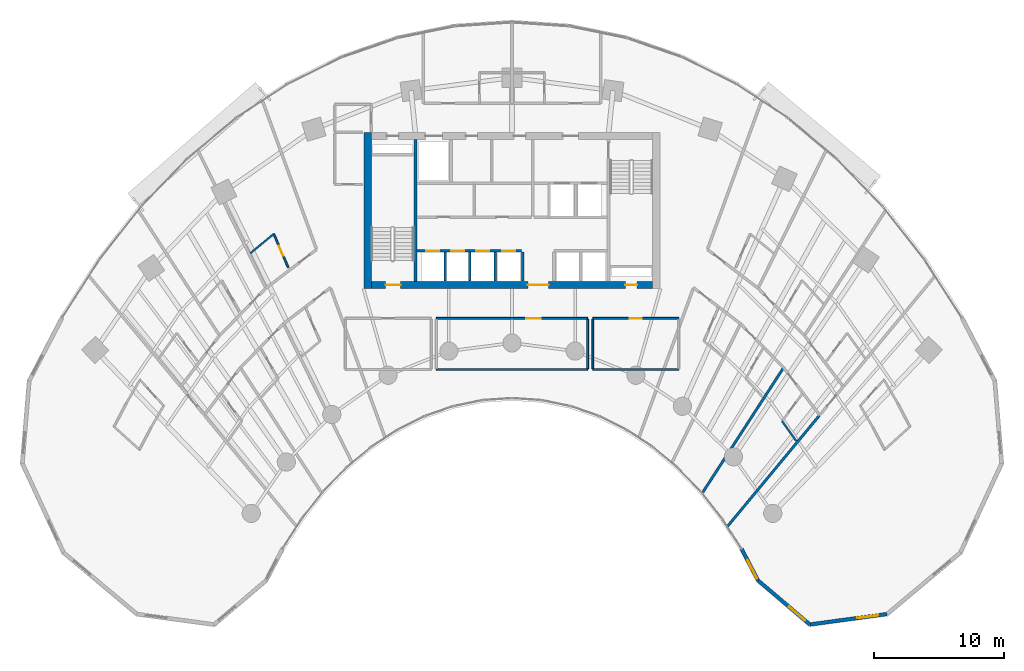
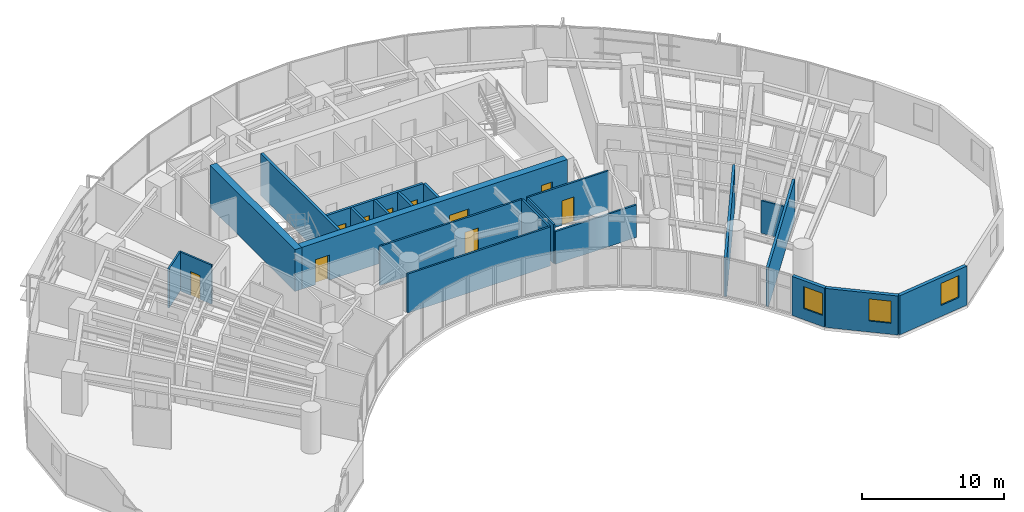
# One storey, part 12 of 18: 22 walls, 10 doors, 3 windows, 13 openings.
"""IFC4 building model written with IfcOpenShell, lengths in metres."""

from ifc_helpers import new_model, si_unit, direction, frame, frame_2d, origin, place, context, subcontext, project, spatial, rectangle, extrude, source, transform, mapped, material, layer, layer_set, type_object, type_shapes, element, fill, save


model = new_model("IFC4")

# Units and contexts
model_context = context("Model", 3, precision=1e-05, world=origin(), true_north=direction((0.0, 1.0)))
body_context = subcontext(model_context, "Body", "Model", "MODEL_VIEW")
ifc_project = project(units=[si_unit("LENGTHUNIT", "METRE"), si_unit("AREAUNIT", "SQUARE_METRE"), si_unit("VOLUMEUNIT", "CUBIC_METRE"), si_unit("PLANEANGLEUNIT", "RADIAN"), si_unit("MASSUNIT", "GRAM", prefix="KILO")], contexts=[model_context])

# Site, building, storey
site_placement = place(None, origin())
site = spatial("IfcSite", under=ifc_project, at=site_placement, CompositionType="ELEMENT")
building_placement = place(site_placement, origin())
building = spatial("IfcBuilding", under=site, at=building_placement, Name="Breltana Convention Tower", CompositionType="ELEMENT")
storey_placement = place(building_placement, frame((0.0, 0.0, 42.60009765625)))
storey = spatial("IfcBuildingStorey", under=building, at=storey_placement, Name="L08", CompositionType="ELEMENT", Elevation=42.60009765625)

# Wall
ifc_material_1 = material(Name="Concrete C60/75", Category="concrete")
ifc_layer_1 = layer(ifc_material_1, 0.550048828125, Name="Concrete C60/75")
ifc_layer_set_1 = layer_set([ifc_layer_1], Name="Concrete C60/75")
wall_type_1 = type_object("IfcWallType", Name="SW-CORE-550", PredefinedType="SHEAR", material=ifc_layer_set_1)
shared_shape_1 = source(origin(), body_context, "Body", "SweptSolid", [
    extrude(rectangle(XDim=12.0, YDim=0.550048828125, at=frame_2d((6.0, 0.0))), origin(), (0.0, 0.0, 1.0), 3.599853515625),
])
wall_1_placement = place(storey_placement, frame((36.925048828125, 60.199951171875, 0.0), z_axis=(0.0, 0.0, 1.0), x_axis=(0.0, 1.0, 0.0)))
element("IfcWall", 1, at=wall_1_placement, inside=storey, type_object=wall_type_1, Name="L08 West Core Shear Wall", PredefinedType="SHEAR", context=body_context, shape_type="MappedRepresentation", body=[
    mapped(shared_shape_1, transform((0.0, 0.0, 0.0), scale=1.0)),
])

# Wall, openings, doors
shared_shape_2 = source(origin(), body_context, "Body", "SweptSolid", [
    extrude(rectangle(XDim=21.60009765625, YDim=0.550048828125, at=frame_2d((10.800048828125, 0.0))), origin(), (0.0, 0.0, 1.0), 3.599853515625),
])
wall_2_placement = place(storey_placement, frame((37.199951171875, 60.47509765625, 0.0), z_axis=(0.0, 0.0, 1.0), x_axis=(1.0, 0.0, 0.0)))
wall_2 = element("IfcWall", 2, at=wall_2_placement, inside=storey, type_object=wall_type_1, Name="L08 South Core Shear Wall", PredefinedType="SHEAR", context=body_context, shape_type="MappedRepresentation", body=[
    mapped(shared_shape_2, transform((0.0, 0.0, 0.0), scale=1.0)),
])
opening_1_placement = place(wall_2_placement, frame((1.10009765625, 0.0, 0.0)))
opening_1 = element("IfcOpeningElement", 3, at=opening_1_placement, cuts=wall_2, Name="Opening D-11", PredefinedType="OPENING", context=body_context, shape_type="SweptSolid", body=[
    extrude(rectangle(XDim=1.14990234375, YDim=2.14990234375, at=frame_2d((0.574951171875, 1.074951171875))), frame((0.0, 0.28515625, 0.0), z_axis=(0.0, -1.0, 0.0), x_axis=(1.0, 0.0, 0.0)), (0.0, 0.0, 1.0), 0.570068359375),
])
opening_2_placement = place(wall_2_placement, frame((19.5, 0.0, 0.0)))
opening_2 = element("IfcOpeningElement", 4, at=opening_2_placement, cuts=wall_2, Name="Opening D-18", PredefinedType="OPENING", context=body_context, shape_type="SweptSolid", body=[
    extrude(rectangle(XDim=0.89990234375, YDim=2.10009765625, at=frame_2d((0.449951171875, 1.050048828125))), frame((0.0, 0.28515625, 0.0), z_axis=(0.0, -1.0, 0.0), x_axis=(1.0, 0.0, 0.0)), (0.0, 0.0, 1.0), 0.570068359375),
])
opening_3_placement = place(wall_2_placement, frame((12.02001953125, 0.0, 0.0)))
opening_3 = element("IfcOpeningElement", 5, at=opening_3_placement, cuts=wall_2, Name="Opening D-02", PredefinedType="OPENING", context=body_context, shape_type="SweptSolid", body=[
    extrude(rectangle(XDim=1.60009765625, YDim=2.14990234375, at=frame_2d((0.800048828125, 1.074951171875))), frame((0.0, 0.28515625, 0.0), z_axis=(0.0, -1.0, 0.0), x_axis=(1.0, 0.0, 0.0)), (0.0, 0.0, 1.0), 0.570068359375),
])
ifc_material_2 = material(Name="Steel Stair Exit Door", Category="steel")
door_type_1 = type_object("IfcDoorType", Name="DR-FD120-1150", OperationType="NOTDEFINED", PredefinedType="DOOR", material=ifc_material_2)
shared_shape_3 = source(origin(), body_context, "Body", "SweptSolid", [
    extrude(rectangle(XDim=1.14990234375, YDim=2.14990234375, at=frame_2d((0.574951171875, 1.074951171875))), frame((0.0, 0.02490234375, 0.0), z_axis=(0.0, -1.0, 0.0), x_axis=(1.0, 0.0, 0.0)), (0.0, 0.0, 1.0), 0.050048828125),
])
type_shapes(door_type_1, [shared_shape_3])
door_1_placement = place(opening_1_placement, origin())
door_1 = element("IfcDoor", 6, at=door_1_placement, inside=storey, type_object=door_type_1, Name="L08 interior door D-L08-ST1", OperationType="SINGLE_SWING_LEFT", OverallHeight=2.14990234375, OverallWidth=1.14990234375, PredefinedType="DOOR", context=body_context, shape_type="MappedRepresentation", body=[
    mapped(shared_shape_3, transform((0.0, 0.0, 0.0), scale=1.0)),
])
fill(opening_1, door_1)
ifc_material_3 = material(Name="Steel Riser Fire Door", Category="steel")
door_type_2 = type_object("IfcDoorType", Name="DR-FD60-900", OperationType="NOTDEFINED", PredefinedType="DOOR", material=ifc_material_3)
shared_shape_4 = source(origin(), body_context, "Body", "SweptSolid", [
    extrude(rectangle(XDim=0.89990234375, YDim=2.10009765625, at=frame_2d((0.449951171875, 1.050048828125))), frame((0.0, 0.02490234375, 0.0), z_axis=(0.0, -1.0, 0.0), x_axis=(1.0, 0.0, 0.0)), (0.0, 0.0, 1.0), 0.050048828125),
])
type_shapes(door_type_2, [shared_shape_4])
door_2_placement = place(opening_2_placement, origin())
door_2 = element("IfcDoor", 7, at=door_2_placement, inside=storey, type_object=door_type_2, Name="L08 Core Riser Access Door D-L08-RS2", OperationType="SINGLE_SWING_RIGHT", OverallHeight=2.10009765625, OverallWidth=0.89990234375, PredefinedType="DOOR", context=body_context, shape_type="MappedRepresentation", body=[
    mapped(shared_shape_4, transform((0.0, 0.0, 0.0), scale=1.0)),
])
fill(opening_2, door_2)
ifc_material_4 = material(Name="Steel Glazed Smoke-Control Door", Category="steel")
door_type_3 = type_object("IfcDoorType", Name="DR-DBL-FD90-1600", OperationType="DOUBLE_DOOR_SINGLE_SWING", PredefinedType="DOOR", material=ifc_material_4)
shared_shape_5 = source(origin(), body_context, "Body", "SweptSolid", [
    extrude(rectangle(XDim=1.60009765625, YDim=2.14990234375, at=frame_2d((0.800048828125, 1.074951171875))), frame((0.0, 0.02490234375, 0.0), z_axis=(0.0, -1.0, 0.0), x_axis=(1.0, 0.0, 0.0)), (0.0, 0.0, 1.0), 0.050048828125),
])
type_shapes(door_type_3, [shared_shape_5])
door_3_placement = place(opening_3_placement, origin())
door_3 = element("IfcDoor", 8, at=door_3_placement, inside=storey, type_object=door_type_3, Name="L08 interior door D-L08-LLB-S", OperationType="DOUBLE_DOOR_SINGLE_SWING", OverallHeight=2.14990234375, OverallWidth=1.60009765625, PredefinedType="DOOR", context=body_context, shape_type="MappedRepresentation", body=[
    mapped(shared_shape_5, transform((0.0, 0.0, 0.0), scale=1.0)),
])
fill(opening_3, door_3)

# Wall
ifc_material_5 = material(Name="Concrete C50/60", Category="concrete")
ifc_layer_2 = layer(ifc_material_5, 0.39990234375, Name="Concrete C50/60")
ifc_layer_set_2 = layer_set([ifc_layer_2], Name="Concrete C50/60")
wall_type_2 = type_object("IfcWallType", Name="SW-CORE-400", PredefinedType="SHEAR", material=ifc_layer_set_2)
shared_shape_6 = source(origin(), body_context, "Body", "SweptSolid", [
    extrude(rectangle(XDim=10.89990234375, YDim=0.219970703125, at=frame_2d((5.449951171875, 0.0))), origin(), (0.0, 0.0, 1.0), 3.599853515625),
])
wall_3_placement = place(storey_placement, frame((40.580078125, 60.75, 0.0), z_axis=(0.0, 0.0, 1.0), x_axis=(0.0, 1.0, 0.0)))
element("IfcWall", 9, at=wall_3_placement, inside=storey, type_object=wall_type_2, Name="L08 Core West Stair Spine Wall", PredefinedType="SHEAR", context=body_context, shape_type="MappedRepresentation", body=[
    mapped(shared_shape_6, transform((0.0, 0.0, 0.0), scale=1.0)),
])

# Wall, opening, window
ifc_material_6 = material(Name="Limestone Buff Insulated Wall", Category="masonry")
ifc_layer_3 = layer(ifc_material_6, 0.280029296875, Name="Limestone Buff Insulated Wall")
ifc_layer_set_3 = layer_set([ifc_layer_3], Name="Limestone Buff Insulated Wall")
wall_type_3 = type_object("IfcWallType", Name="WL-EXT-NOSE-280", PredefinedType="SOLIDWALL", material=ifc_layer_set_3)
shared_shape_7 = source(origin(), body_context, "Body", "SweptSolid", [
    extrude(rectangle(XDim=5.96728515625, YDim=0.280029296875, at=frame_2d((2.983642578125, 0.0))), origin(), (0.0, 0.0, 1.0), 3.35986328125),
])
wall_4_placement = place(storey_placement, frame((76.77734375, 35.226806640625, 0.0), z_axis=(0.0, 0.0, 1.0), x_axis=(-0.990927009341, -0.134401124099, 0.0)))
wall_4 = element("IfcWall", 10, at=wall_4_placement, inside=storey, type_object=wall_type_3, Name="L08 curved limestone nose wall E4", PredefinedType="SOLIDWALL", context=body_context, shape_type="MappedRepresentation", body=[
    mapped(shared_shape_7, transform((0.0, 0.0, 0.0), scale=1.0)),
])
opening_4_placement = place(wall_4_placement, frame((0.69189453125, 0.0, 0.949951171875)))
opening_4 = element("IfcOpeningElement", 11, at=opening_4_placement, cuts=wall_4, Name="Opening W-04", PredefinedType="OPENING", context=body_context, shape_type="SweptSolid", body=[
    extrude(rectangle(XDim=1.60009765625, YDim=1.89990234375, at=frame_2d((0.800048828125, 0.949951171875))), frame((0.0, 0.14990234375, 0.0), z_axis=(0.0, -1.0, 0.0), x_axis=(1.0, 0.0, 0.0)), (0.0, 0.0, 1.0), 0.300048828125),
])
ifc_material_7 = material(Name="Glass Low-E Insulated Window", Category="glass")
window_type = type_object("IfcWindowType", Name="WN-NOSE-1600X1900", PartitioningType="SINGLE_PANEL", PredefinedType="WINDOW", material=ifc_material_7)
shared_shape_8 = source(origin(), body_context, "Body", "SweptSolid", [
    extrude(rectangle(XDim=1.60009765625, YDim=1.89990234375, at=frame_2d((0.800048828125, 0.949951171875))), frame((0.0, 0.030029296875, 0.0), z_axis=(0.0, -1.0, 0.0), x_axis=(1.0, 0.0, 0.0)), (0.0, 0.0, 1.0), 0.06005859375),
])
type_shapes(window_type, [shared_shape_8])
window_1_placement = place(opening_4_placement, origin())
window_1 = element("IfcWindow", 12, at=window_1_placement, inside=storey, type_object=window_type, Name="L08 nose window E4", OverallHeight=1.89990234375, OverallWidth=1.60009765625, PartitioningType="SINGLE_PANEL", PredefinedType="WINDOW", context=body_context, shape_type="MappedRepresentation", body=[
    mapped(shared_shape_8, transform((0.0, 0.0, 0.0), scale=1.0)),
])
fill(opening_4, window_1)

shared_shape_9 = source(origin(), body_context, "Body", "SweptSolid", [
    extrude(rectangle(XDim=5.222412109375, YDim=0.280029296875, at=frame_2d((2.611328125, 0.0))), origin(), (0.0, 0.0, 1.0), 3.35986328125),
])
wall_5_placement = place(storey_placement, frame((70.8642578125, 34.4248046875, 0.0), z_axis=(0.0, 0.0, 1.0), x_axis=(-0.761900099546, 0.647694556339, 0.0)))
wall_5 = element("IfcWall", 13, at=wall_5_placement, inside=storey, type_object=wall_type_3, Name="L08 curved limestone nose wall E5", PredefinedType="SOLIDWALL", context=body_context, shape_type="MappedRepresentation", body=[
    mapped(shared_shape_9, transform((0.0, 0.0, 0.0), scale=1.0)),
])
opening_5_placement = place(wall_5_placement, frame((0.505615234375, 0.0, 0.949951171875)))
opening_5 = element("IfcOpeningElement", 14, at=opening_5_placement, cuts=wall_5, Name="Opening W-04", PredefinedType="OPENING", context=body_context, shape_type="SweptSolid", body=[
    extrude(rectangle(XDim=1.60009765625, YDim=1.89990234375, at=frame_2d((0.800048828125, 0.949951171875))), frame((0.0, 0.14990234375, 0.0), z_axis=(0.0, -1.0, 0.0), x_axis=(1.0, 0.0, 0.0)), (0.0, 0.0, 1.0), 0.300048828125),
])
window_2_placement = place(opening_5_placement, origin())
window_2 = element("IfcWindow", 15, at=window_2_placement, inside=storey, type_object=window_type, Name="L08 nose window E5", OverallHeight=1.89990234375, OverallWidth=1.60009765625, PartitioningType="SINGLE_PANEL", PredefinedType="WINDOW", context=body_context, shape_type="MappedRepresentation", body=[
    mapped(shared_shape_8, transform((0.0, 0.0, 0.0), scale=1.0)),
])
fill(opening_5, window_2)

shared_shape_10 = source(origin(), body_context, "Body", "SweptSolid", [
    extrude(rectangle(XDim=2.7353515625, YDim=0.280029296875, at=frame_2d((1.36767578125, 0.0))), origin(), (0.0, 0.0, 1.0), 3.35986328125),
])
wall_6_placement = place(storey_placement, frame((66.88525390625, 37.807373046875, 0.0), z_axis=(0.0, 0.0, 1.0), x_axis=(-0.46179107292, 0.886988728774, 0.0)))
wall_6 = element("IfcWall", 16, at=wall_6_placement, inside=storey, type_object=wall_type_3, Name="L08 curved limestone nose wall E6", PredefinedType="SOLIDWALL", context=body_context, shape_type="MappedRepresentation", body=[
    mapped(shared_shape_10, transform((0.0, 0.0, 0.0), scale=1.0)),
])
opening_6_placement = place(wall_6_placement, frame((0.159912109375, 0.0, 0.949951171875)))
opening_6 = element("IfcOpeningElement", 17, at=opening_6_placement, cuts=wall_6, Name="Opening W-04", PredefinedType="OPENING", context=body_context, shape_type="SweptSolid", body=[
    extrude(rectangle(XDim=1.60009765625, YDim=1.89990234375, at=frame_2d((0.800048828125, 0.949951171875))), frame((0.0, 0.14990234375, 0.0), z_axis=(0.0, -1.0, 0.0), x_axis=(1.0, 0.0, 0.0)), (0.0, 0.0, 1.0), 0.300048828125),
])
window_3_placement = place(opening_6_placement, origin())
window_3 = element("IfcWindow", 18, at=window_3_placement, inside=storey, type_object=window_type, Name="L08 nose window E6", OverallHeight=1.89990234375, OverallWidth=1.60009765625, PartitioningType="SINGLE_PANEL", PredefinedType="WINDOW", context=body_context, shape_type="MappedRepresentation", body=[
    mapped(shared_shape_8, transform((0.0, 0.0, 0.0), scale=1.0)),
])
fill(opening_6, window_3)

# Walls
ifc_material_8 = material(Name="Gypsum Acoustic Drywall Partition")
ifc_layer_4 = layer(ifc_material_8, 0.14990234375, Name="Gypsum Acoustic Drywall Partition")
ifc_layer_set_4 = layer_set([ifc_layer_4], Name="Gypsum Acoustic Drywall Partition")
wall_type_4 = type_object("IfcWallType", Name="WL-PART-150", PredefinedType="PARTITIONING", material=ifc_layer_set_4)
shared_shape_11 = source(origin(), body_context, "Body", "SweptSolid", [
    extrude(rectangle(XDim=6.60009765625, YDim=0.14990234375, at=frame_2d((3.300048828125, 0.0))), origin(), (0.0, 0.0, 1.0), 2.802978515625),
])
wall_7_placement = place(storey_placement, frame((54.199951171875, 54.0, 0.0), z_axis=(0.0, 0.0, 1.0), x_axis=(1.0, 0.0, 0.0)))
element("IfcWall", 19, at=wall_7_placement, inside=storey, type_object=wall_type_4, Name="L08 interior partition W-L08-HMT-S", PredefinedType="PARTITIONING", context=body_context, shape_type="MappedRepresentation", body=[
    mapped(shared_shape_11, transform((0.0, 0.0, 0.0), scale=1.0)),
])
ifc_material_9 = material(Name="Moisture-Resistant En-Suite Partition")
ifc_layer_5 = layer(ifc_material_9, 0.139892578125, Name="Moisture-Resistant En-Suite Partition")
ifc_layer_set_5 = layer_set([ifc_layer_5], Name="Moisture-Resistant En-Suite Partition")
wall_type_5 = type_object("IfcWallType", Name="WL-WET-150", PredefinedType="PARTITIONING", material=ifc_layer_set_5)
shared_shape_12 = source(origin(), body_context, "Body", "SweptSolid", [
    extrude(rectangle(XDim=1.883544921875, YDim=0.139892578125, at=frame_2d((0.94189453125, 0.0))), origin(), (0.0, 0.0, 1.0), 2.802978515625),
])
wall_8_placement = place(storey_placement, frame((68.7294921875, 50.031005859375, 0.0), z_axis=(0.0, 0.0, 1.0), x_axis=(0.580833492897, -0.814022391295, 0.0)))
element("IfcWall", 20, at=wall_8_placement, inside=storey, type_object=wall_type_5, Name="L08 interior partition W-L08-HK12E-BK", PredefinedType="PARTITIONING", context=body_context, shape_type="MappedRepresentation", body=[
    mapped(shared_shape_12, transform((0.0, 0.0, 0.0), scale=1.0)),
])
ifc_material_10 = material(Name="Autoclaved Aerated Concrete Block", Category="concrete")
ifc_layer_6 = layer(ifc_material_10, 0.199951171875, Name="Autoclaved Aerated Concrete Block")
ifc_layer_set_6 = layer_set([ifc_layer_6], Name="Autoclaved Aerated Concrete Block")
wall_type_6 = type_object("IfcWallType", Name="WL-SHAFT-200", PredefinedType="SOLIDWALL", material=ifc_layer_set_6)
shared_shape_13 = source(origin(), body_context, "Body", "SweptSolid", [
    extrude(rectangle(XDim=2.239990234375, YDim=0.199951171875, at=frame_2d((1.1201171875, 0.0))), origin(), (0.0, 0.0, 1.0), 3.35986328125),
])
wall_9_placement = place(storey_placement, frame((48.820068359375, 60.780029296875, 0.0), z_axis=(0.0, 0.0, 1.0), x_axis=(0.0, 1.0, 0.0)))
element("IfcWall", 21, at=wall_9_placement, inside=storey, type_object=wall_type_6, Name="L08 interior partition W-L08-PORT-W", PredefinedType="SOLIDWALL", context=body_context, shape_type="MappedRepresentation", body=[
    mapped(shared_shape_13, transform((0.0, 0.0, 0.0), scale=1.0)),
])

# Wall, openings, doors
shared_shape_14 = source(origin(), body_context, "Body", "SweptSolid", [
    extrude(rectangle(XDim=8.02001953125, YDim=0.199951171875, at=frame_2d((4.010009765625, 0.0))), origin(), (0.0, 0.0, 1.0), 3.35986328125),
])
wall_10_placement = place(storey_placement, frame((40.699951171875, 63.10009765625, 0.0), z_axis=(0.0, 0.0, 1.0), x_axis=(1.0, 0.0, 0.0)))
wall_10 = element("IfcWall", 22, at=wall_10_placement, inside=storey, type_object=wall_type_6, Name="L08 interior partition W-L08-SH-S-FRONT", PredefinedType="SOLIDWALL", context=body_context, shape_type="MappedRepresentation", body=[
    mapped(shared_shape_14, transform((0.0, 0.0, 0.0), scale=1.0)),
])
opening_7_placement = place(wall_10_placement, frame((0.719970703125, 0.0, 0.0)))
opening_7 = element("IfcOpeningElement", 23, at=opening_7_placement, cuts=wall_10, Name="Opening LD-04", PredefinedType="OPENING", context=body_context, shape_type="SweptSolid", body=[
    extrude(rectangle(XDim=1.0, YDim=2.14990234375, at=frame_2d((0.5, 1.074951171875))), frame((0.0, 0.10986328125, 0.0), z_axis=(0.0, -1.0, 0.0), x_axis=(1.0, 0.0, 0.0)), (0.0, 0.0, 1.0), 0.219970703125),
])
opening_8_placement = place(wall_10_placement, frame((2.6201171875, 0.0, 0.0)))
opening_8 = element("IfcOpeningElement", 24, at=opening_8_placement, cuts=wall_10, Name="Opening LD-04", PredefinedType="OPENING", context=body_context, shape_type="SweptSolid", body=[
    extrude(rectangle(XDim=1.0, YDim=2.14990234375, at=frame_2d((0.5, 1.074951171875))), frame((0.0, 0.10986328125, 0.0), z_axis=(0.0, -1.0, 0.0), x_axis=(1.0, 0.0, 0.0)), (0.0, 0.0, 1.0), 0.219970703125),
])
opening_9_placement = place(wall_10_placement, frame((4.550048828125, 0.0, 0.0)))
opening_9 = element("IfcOpeningElement", 25, at=opening_9_placement, cuts=wall_10, Name="Opening LD-04", PredefinedType="OPENING", context=body_context, shape_type="SweptSolid", body=[
    extrude(rectangle(XDim=1.0, YDim=2.14990234375, at=frame_2d((0.5, 1.074951171875))), frame((0.0, 0.10986328125, 0.0), z_axis=(0.0, -1.0, 0.0), x_axis=(1.0, 0.0, 0.0)), (0.0, 0.0, 1.0), 0.219970703125),
])
opening_10_placement = place(wall_10_placement, frame((6.550048828125, 0.0, 0.0)))
opening_10 = element("IfcOpeningElement", 26, at=opening_10_placement, cuts=wall_10, Name="Opening LD-04", PredefinedType="OPENING", context=body_context, shape_type="SweptSolid", body=[
    extrude(rectangle(XDim=1.0, YDim=2.14990234375, at=frame_2d((0.5, 1.074951171875))), frame((0.0, 0.10986328125, 0.0), z_axis=(0.0, -1.0, 0.0), x_axis=(1.0, 0.0, 0.0)), (0.0, 0.0, 1.0), 0.219970703125),
])
ifc_material_11 = material(Name="Stainless Steel Brushed", Category="steel")
door_type_4 = type_object("IfcDoorType", Name="DR-LD-PAX-1000", OperationType="DOUBLE_DOOR_SLIDING", PredefinedType="DOOR", material=ifc_material_11)
shared_shape_15 = source(origin(), body_context, "Body", "SweptSolid", [
    extrude(rectangle(XDim=1.0, YDim=2.14990234375, at=frame_2d((0.5, 1.074951171875))), frame((0.0, 0.02490234375, 0.0), z_axis=(0.0, -1.0, 0.0), x_axis=(1.0, 0.0, 0.0)), (0.0, 0.0, 1.0), 0.050048828125),
])
type_shapes(door_type_4, [shared_shape_15])
door_4_placement = place(opening_7_placement, origin())
door_4 = element("IfcDoor", 27, at=door_4_placement, inside=storey, type_object=door_type_4, Name="L08 Lift Landing Door D-L08-LD-S1", OperationType="DOUBLE_DOOR_SLIDING", OverallHeight=2.14990234375, OverallWidth=1.0, PredefinedType="DOOR", context=body_context, shape_type="MappedRepresentation", body=[
    mapped(shared_shape_15, transform((0.0, 0.0, 0.0), scale=1.0)),
])
fill(opening_7, door_4)
door_5_placement = place(opening_8_placement, origin())
door_5 = element("IfcDoor", 28, at=door_5_placement, inside=storey, type_object=door_type_4, Name="L08 Lift Landing Door D-L08-LD-S2", OperationType="DOUBLE_DOOR_SLIDING", OverallHeight=2.14990234375, OverallWidth=1.0, PredefinedType="DOOR", context=body_context, shape_type="MappedRepresentation", body=[
    mapped(shared_shape_15, transform((0.0, 0.0, 0.0), scale=1.0)),
])
fill(opening_8, door_5)
door_6_placement = place(opening_9_placement, origin())
door_6 = element("IfcDoor", 29, at=door_6_placement, inside=storey, type_object=door_type_4, Name="L08 Lift Landing Door D-L08-LD-S3", OperationType="DOUBLE_DOOR_SLIDING", OverallHeight=2.14990234375, OverallWidth=1.0, PredefinedType="DOOR", context=body_context, shape_type="MappedRepresentation", body=[
    mapped(shared_shape_15, transform((0.0, 0.0, 0.0), scale=1.0)),
])
fill(opening_9, door_6)
door_7_placement = place(opening_10_placement, origin())
door_7 = element("IfcDoor", 30, at=door_7_placement, inside=storey, type_object=door_type_4, Name="L08 Lift Landing Door D-L08-LD-S4", OperationType="DOUBLE_DOOR_SLIDING", OverallHeight=2.14990234375, OverallWidth=1.0, PredefinedType="DOOR", context=body_context, shape_type="MappedRepresentation", body=[
    mapped(shared_shape_15, transform((0.0, 0.0, 0.0), scale=1.0)),
])
fill(opening_10, door_7)

# Walls
shared_shape_16 = source(origin(), body_context, "Body", "SweptSolid", [
    extrude(rectangle(XDim=2.199951171875, YDim=0.199951171875, at=frame_2d((1.10009765625, 0.0))), origin(), (0.0, 0.0, 1.0), 3.35986328125),
])
for number, where, z_axis, x_axis, name in (
    (31, (42.8701171875, 60.800048828125, 0.0), (0.0, 0.0, 1.0), (0.0, 1.0, 0.0), "L08 interior partition W-L08-SH-S-DIV1"),
    (32, (44.77001953125, 60.800048828125, 0.0), (0.0, 0.0, 1.0), (0.0, 1.0, 0.0), "L08 interior partition W-L08-SH-S-DIV2"),
    (33, (46.699951171875, 60.800048828125, 0.0), (0.0, 0.0, 1.0), (0.0, 1.0, 0.0), "L08 interior partition W-L08-SH-S-DIV3"),
):
    element("IfcWall", number, at=place(storey_placement, frame(where, z_axis=z_axis, x_axis=x_axis)), inside=storey, type_object=wall_type_6, Name=name, PredefinedType="SOLIDWALL", context=body_context, shape_type="MappedRepresentation", body=[
        mapped(shared_shape_16, transform((0.0, 0.0, 0.0), scale=1.0)),
    ])

# Wall, opening, door
shared_shape_17 = source(origin(), body_context, "Body", "SweptSolid", [
    extrude(rectangle(XDim=6.60009765625, YDim=0.14990234375, at=frame_2d((3.300048828125, 0.0))), origin(), (0.0, 0.0, 1.0), 3.35986328125),
])
wall_11_placement = place(storey_placement, frame((54.199951171875, 57.919921875, 0.0), z_axis=(0.0, 0.0, 1.0), x_axis=(1.0, 0.0, 0.0)))
wall_11 = element("IfcWall", 34, at=wall_11_placement, inside=storey, type_object=wall_type_4, Name="L08 interior partition W-L08-HMT-N", PredefinedType="PARTITIONING", context=body_context, shape_type="MappedRepresentation", body=[
    mapped(shared_shape_17, transform((0.0, 0.0, 0.0), scale=1.0)),
])
opening_11_placement = place(wall_11_placement, frame((2.824951171875, 0.0, 0.0)))
opening_11 = element("IfcOpeningElement", 35, at=opening_11_placement, cuts=wall_11, Name="Opening D-17", PredefinedType="OPENING", context=body_context, shape_type="SweptSolid", body=[
    extrude(rectangle(XDim=0.949951171875, YDim=2.10009765625, at=frame_2d((0.47509765625, 1.050048828125))), frame((0.0, 0.0849609375, 0.0), z_axis=(0.0, -1.0, 0.0), x_axis=(1.0, 0.0, 0.0)), (0.0, 0.0, 1.0), 0.169921875),
])
ifc_material_12 = material(Name="Timber Oak Veneer Door", Category="wood")
door_type_5 = type_object("IfcDoorType", Name="DR-INT-950", OperationType="NOTDEFINED", PredefinedType="DOOR", material=ifc_material_12)
shared_shape_18 = source(origin(), body_context, "Body", "SweptSolid", [
    extrude(rectangle(XDim=0.949951171875, YDim=2.10009765625, at=frame_2d((0.47509765625, 1.050048828125))), frame((0.0, 0.02490234375, 0.0), z_axis=(0.0, -1.0, 0.0), x_axis=(1.0, 0.0, 0.0)), (0.0, 0.0, 1.0), 0.050048828125),
])
type_shapes(door_type_5, [shared_shape_18])
door_8_placement = place(opening_11_placement, origin())
door_8 = element("IfcDoor", 36, at=door_8_placement, inside=storey, type_object=door_type_5, Name="L08 interior door D-L08-HMT", OperationType="SINGLE_SWING_RIGHT", OverallHeight=2.10009765625, OverallWidth=0.949951171875, PredefinedType="DOOR", context=body_context, shape_type="MappedRepresentation", body=[
    mapped(shared_shape_18, transform((0.0, 0.0, 0.0), scale=1.0)),
])
fill(opening_11, door_8)

# Walls
shared_shape_19 = source(origin(), body_context, "Body", "SweptSolid", [
    extrude(rectangle(XDim=3.78515625, YDim=0.14990234375, at=frame_2d((1.892578125, 0.0))), origin(), (0.0, 0.0, 1.0), 3.35986328125),
])
for number, where, z_axis, x_axis, name in (
    (37, (53.800048828125, 54.0673828125, 0.0), (0.0, 0.0, 1.0), (0.0, 1.0, 0.0), "L08 interior partition W-L08-HLG-E"),
    (38, (54.199951171875, 54.0673828125, 0.0), (0.0, 0.0, 1.0), (0.0, 1.0, 0.0), "L08 interior partition W-L08-HMT-W"),
):
    element("IfcWall", number, at=place(storey_placement, frame(where, z_axis=z_axis, x_axis=x_axis)), inside=storey, type_object=wall_type_4, Name=name, PredefinedType="PARTITIONING", context=body_context, shape_type="MappedRepresentation", body=[
        mapped(shared_shape_19, transform((0.0, 0.0, 0.0), scale=1.0)),
    ])
shared_shape_20 = source(origin(), body_context, "Body", "SweptSolid", [
    extrude(rectangle(XDim=11.60009765625, YDim=0.14990234375, at=frame_2d((5.800048828125, 0.0))), origin(), (0.0, 0.0, 1.0), 3.35986328125),
])
wall_12_placement = place(storey_placement, frame((42.199951171875, 54.0, 0.0), z_axis=(0.0, 0.0, 1.0), x_axis=(1.0, 0.0, 0.0)))
element("IfcWall", 39, at=wall_12_placement, inside=storey, type_object=wall_type_4, Name="L08 interior partition W-L08-HLG-S", PredefinedType="PARTITIONING", context=body_context, shape_type="MappedRepresentation", body=[
    mapped(shared_shape_20, transform((0.0, 0.0, 0.0), scale=1.0)),
])

# Wall, opening, door
wall_13_placement = place(storey_placement, frame((42.199951171875, 57.919921875, 0.0), z_axis=(0.0, 0.0, 1.0), x_axis=(1.0, 0.0, 0.0)))
wall_13 = element("IfcWall", 40, at=wall_13_placement, inside=storey, type_object=wall_type_4, Name="L08 interior partition W-L08-HLG-N", PredefinedType="PARTITIONING", context=body_context, shape_type="MappedRepresentation", body=[
    mapped(shared_shape_20, transform((0.0, 0.0, 0.0), scale=1.0)),
])
opening_12_placement = place(wall_13_placement, frame((6.89990234375, 0.0, 0.0)))
opening_12 = element("IfcOpeningElement", 41, at=opening_12_placement, cuts=wall_13, Name="Opening D-12", PredefinedType="OPENING", context=body_context, shape_type="SweptSolid", body=[
    extrude(rectangle(XDim=1.10009765625, YDim=2.14990234375, at=frame_2d((0.550048828125, 1.074951171875))), frame((0.0, 0.0849609375, 0.0), z_axis=(0.0, -1.0, 0.0), x_axis=(1.0, 0.0, 0.0)), (0.0, 0.0, 1.0), 0.169921875),
])
ifc_material_13 = material(Name="Timber Oak Acoustic Door", Category="wood")
door_type_6 = type_object("IfcDoorType", Name="DR-INT-1100", OperationType="NOTDEFINED", PredefinedType="DOOR", material=ifc_material_13)
shared_shape_21 = source(origin(), body_context, "Body", "SweptSolid", [
    extrude(rectangle(XDim=1.10009765625, YDim=2.14990234375, at=frame_2d((0.550048828125, 1.074951171875))), frame((0.0, 0.02490234375, 0.0), z_axis=(0.0, -1.0, 0.0), x_axis=(1.0, 0.0, 0.0)), (0.0, 0.0, 1.0), 0.050048828125),
])
type_shapes(door_type_6, [shared_shape_21])
door_9_placement = place(opening_12_placement, origin())
door_9 = element("IfcDoor", 42, at=door_9_placement, inside=storey, type_object=door_type_6, Name="L08 interior door D-L08-HLG", OperationType="SINGLE_SWING_LEFT", OverallHeight=2.14990234375, OverallWidth=1.10009765625, PredefinedType="DOOR", context=body_context, shape_type="MappedRepresentation", body=[
    mapped(shared_shape_21, transform((0.0, 0.0, 0.0), scale=1.0)),
])
fill(opening_12, door_9)

# Walls
ifc_material_14 = material(Name="Gypsum Acoustic Hotel Wall")
ifc_layer_7 = layer(ifc_material_14, 0.195068359375, Name="Gypsum Acoustic Hotel Wall")
ifc_layer_set_7 = layer_set([ifc_layer_7], Name="Gypsum Acoustic Hotel Wall")
wall_type_7 = type_object("IfcWallType", Name="WL-HOTEL-200", PredefinedType="PARTITIONING", material=ifc_layer_set_7)
shared_shape_22 = source(origin(), body_context, "Body", "SweptSolid", [
    extrude(rectangle(XDim=11.4287109375, YDim=0.195068359375, at=frame_2d((5.71435546875, 0.0))), origin(), (0.0, 0.0, 1.0), 3.35986328125),
])
wall_14_placement = place(storey_placement, frame((62.603515625, 44.510986328125, 0.0), z_axis=(0.0, 0.0, 1.0), x_axis=(0.544215487077, 0.838945471187, 0.0)))
element("IfcWall", 43, at=wall_14_placement, inside=storey, type_object=wall_type_7, Name="L08 interior partition W-L08-HK10-RB", PredefinedType="PARTITIONING", context=body_context, shape_type="MappedRepresentation", body=[
    mapped(shared_shape_22, transform((0.0, 0.0, 0.0), scale=1.0)),
])
shared_shape_23 = source(origin(), body_context, "Body", "SweptSolid", [
    extrude(rectangle(XDim=2.324462890625, YDim=0.139892578125, at=frame_2d((1.162109375, 0.0))), origin(), (0.0, 0.0, 1.0), 3.35986328125),
])
wall_15_placement = place(storey_placement, frame((27.922607421875, 62.92578125, 0.0), z_axis=(0.0, 0.0, 1.0), x_axis=(0.770746444956, 0.637141991701, 0.0)))
element("IfcWall", 44, at=wall_15_placement, inside=storey, type_object=wall_type_5, Name="L08 interior partition W-L08-HK05E-BK", PredefinedType="PARTITIONING", context=body_context, shape_type="MappedRepresentation", body=[
    mapped(shared_shape_23, transform((0.0, 0.0, 0.0), scale=1.0)),
])

# Wall, opening, door
shared_shape_24 = source(origin(), body_context, "Body", "SweptSolid", [
    extrude(rectangle(XDim=2.817626953125, YDim=0.139892578125, at=frame_2d((1.40869140625, 0.0))), origin(), (0.0, 0.0, 1.0), 3.35986328125),
])
wall_16_placement = place(storey_placement, frame((30.82958984375, 61.8193359375, 0.0), z_axis=(0.0, 0.0, 1.0), x_axis=(-0.395894859341, 0.918295845764, 0.0)))
wall_16 = element("IfcWall", 45, at=wall_16_placement, inside=storey, type_object=wall_type_5, Name="L08 interior partition W-L08-HK05E-SD", PredefinedType="PARTITIONING", context=body_context, shape_type="MappedRepresentation", body=[
    mapped(shared_shape_24, transform((0.0, 0.0, 0.0), scale=1.0)),
])
opening_13_placement = place(wall_16_placement, frame((0.98388671875, 0.0, 0.0)))
opening_13 = element("IfcOpeningElement", 46, at=opening_13_placement, cuts=wall_16, Name="Opening D-21", PredefinedType="OPENING", context=body_context, shape_type="SweptSolid", body=[
    extrude(rectangle(XDim=0.85009765625, YDim=2.050048828125, at=frame_2d((0.425048828125, 1.02490234375))), frame((0.0, 0.080078125, 0.0), z_axis=(0.0, -1.0, 0.0), x_axis=(1.0, 0.0, 0.0)), (0.0, 0.0, 1.0), 0.159912109375),
])
ifc_material_15 = material(Name="Timber Moisture-Resistant En-Suite Door", Category="wood")
door_type_7 = type_object("IfcDoorType", Name="DR-WET-850", OperationType="NOTDEFINED", PredefinedType="DOOR", material=ifc_material_15)
shared_shape_25 = source(origin(), body_context, "Body", "SweptSolid", [
    extrude(rectangle(XDim=0.85009765625, YDim=2.050048828125, at=frame_2d((0.425048828125, 1.02490234375))), frame((0.0, 0.02490234375, 0.0), z_axis=(0.0, -1.0, 0.0), x_axis=(1.0, 0.0, 0.0)), (0.0, 0.0, 1.0), 0.050048828125),
])
type_shapes(door_type_7, [shared_shape_25])
door_10_placement = place(opening_13_placement, origin())
door_10 = element("IfcDoor", 47, at=door_10_placement, inside=storey, type_object=door_type_7, Name="L08 interior door D-L08-HK05E", OperationType="SINGLE_SWING_RIGHT", OverallHeight=2.050048828125, OverallWidth=0.85009765625, PredefinedType="DOOR", context=body_context, shape_type="MappedRepresentation", body=[
    mapped(shared_shape_25, transform((0.0, 0.0, 0.0), scale=1.0)),
])
fill(opening_13, door_10)

# Wall
shared_shape_26 = source(origin(), body_context, "Body", "SweptSolid", [
    extrude(rectangle(XDim=11.05322265625, YDim=0.195068359375, at=frame_2d((5.526611328125, 0.0))), origin(), (0.0, 0.0, 1.0), 3.35986328125),
])
wall_17_placement = place(storey_placement, frame((64.533935546875, 41.948974609375, 0.0), z_axis=(0.0, 0.0, 1.0), x_axis=(0.638131235571, 0.769927611005, 0.0)))
element("IfcWall", 48, at=wall_17_placement, inside=storey, type_object=wall_type_7, Name="L08 interior partition W-L08-HK12-RB", PredefinedType="PARTITIONING", context=body_context, shape_type="MappedRepresentation", body=[
    mapped(shared_shape_26, transform((0.0, 0.0, 0.0), scale=1.0)),
])

save(model, "model.ifc")
